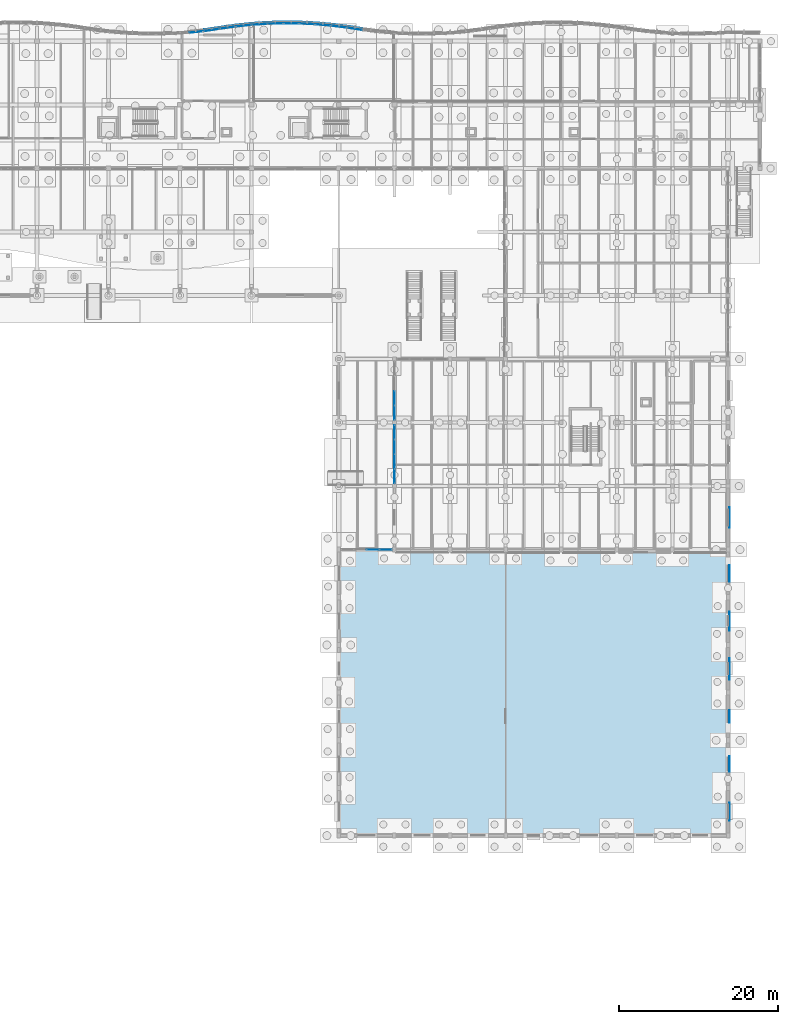
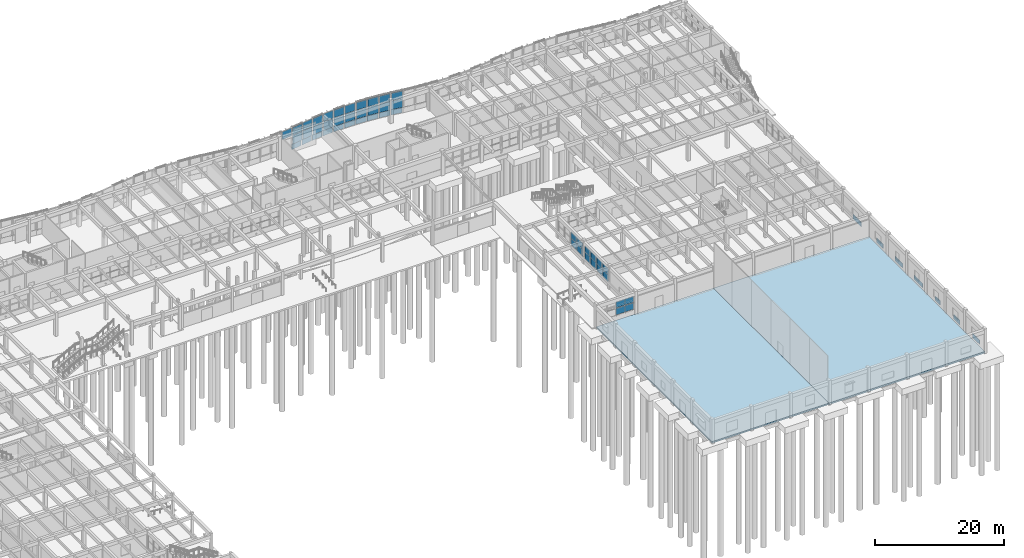
# One storey, part 57 of 99: 54 plates, 2 slabs, 14 elements without a shape of their own.
"""IFC4 building model written with IfcOpenShell, lengths in metres."""

from ifc_helpers import new_model, si_unit, direction, frame, origin, origin_2d, place, context, subcontext, project, spatial, polyline, rectangle, outline, extrude, material, layer, layer_set, type_object, element, aggregate, save


model = new_model("IFC4")

# Units and contexts
model_context = context("Model", 3, precision=1e-05, world=origin(), true_north=direction((0.0, 1.0)))
body_context = subcontext(model_context, "Body", "Model", "MODEL_VIEW")
ifc_project = project(units=[si_unit("LENGTHUNIT", "METRE"), si_unit("AREAUNIT", "SQUARE_METRE"), si_unit("VOLUMEUNIT", "CUBIC_METRE"), si_unit("PLANEANGLEUNIT", "RADIAN"), si_unit("MASSUNIT", "GRAM", prefix="KILO")], contexts=[model_context])

# Site, building, storey
site_placement = place(None, origin())
site = spatial("IfcSite", under=ifc_project, at=site_placement, CompositionType="ELEMENT")
building_placement = place(site_placement, origin())
building = spatial("IfcBuilding", under=site, at=building_placement, Name="Tonlespit Floodbar School", CompositionType="ELEMENT")
storey_placement = place(building_placement, origin())
storey = spatial("IfcBuildingStorey", under=building, at=storey_placement, Name="L00", CompositionType="ELEMENT", Elevation=0.0)

# Curtain wall, plates
ifc_material_1 = material(Name="Anodised Aluminium", Category="aluminium")
ifc_layer_1 = layer(ifc_material_1, 0.159912109375)
ifc_layer_set_1 = layer_set([ifc_layer_1], Name="Anodised Aluminium")
curtain_wall_type_1 = type_object("IfcCurtainWallType", Name="CurtainWall_1950x3300", PredefinedType="NOTDEFINED", material=ifc_layer_set_1)
curtain_wall_1_placement = place(storey_placement, origin())
curtain_wall_1 = element("IfcCurtainWall", 1, at=curtain_wall_1_placement, inside=storey, type_object=curtain_wall_type_1, Name="L00 unitised curtain wall 0033", PredefinedType="NOTDEFINED")
ifc_material_2 = material(Name="Laminated Low-E Glass", Category="glass")
ifc_layer_2 = layer(ifc_material_2, 0.028076171875)
ifc_layer_set_2 = layer_set([ifc_layer_2], Name="Laminated Low-E Glass")
plate_type_1 = type_object("IfcPlateType", Name="CW_Panel_Glaz_28", PredefinedType="CURTAIN_PANEL", material=ifc_layer_set_2)
plate_1_placement = place(storey_placement, frame((113.0, 121.69580078125, 1.014892578125), z_axis=(0.0, 0.0, 1.0), x_axis=(0.989541561858, 0.144248041079, 0.0)))
plate_1 = element("IfcPlate", 2, at=plate_1_placement, type_object=plate_type_1, Name="CW-01 panel 1.1", PredefinedType="CURTAIN_PANEL", context=body_context, shape_type="SweptSolid", body=[
    extrude(rectangle(XDim=1.81103515625, YDim=0.028076171875, at=origin_2d()), origin(), (0.0, 0.0, 1.0), 1.61328125),
])
plate_2_placement = place(storey_placement, frame((113.0, 121.69580078125, 2.693359375), z_axis=(0.0, 0.0, 1.0), x_axis=(0.989541561858, 0.144248041079, 0.0)))
plate_2 = element("IfcPlate", 3, at=plate_2_placement, type_object=plate_type_1, Name="CW-01 panel 1.2", PredefinedType="CURTAIN_PANEL", context=body_context, shape_type="SweptSolid", body=[
    extrude(rectangle(XDim=1.81103515625, YDim=0.028076171875, at=origin_2d()), origin(), (0.0, 0.0, 1.0), 1.481689453125),
])
aggregate(curtain_wall_1, [plate_1, plate_2])

ifc_layer_3 = layer(ifc_material_1, 0.159912109375)
ifc_layer_set_3 = layer_set([ifc_layer_3], Name="Anodised Aluminium")
curtain_wall_type_2 = type_object("IfcCurtainWallType", Name="CurtainWall_7400x2600", PredefinedType="NOTDEFINED", material=ifc_layer_set_3)
curtain_wall_2_placement = place(storey_placement, origin())
curtain_wall_2 = element("IfcCurtainWall", 4, at=curtain_wall_2_placement, inside=storey, type_object=curtain_wall_type_2, Name="L00 unitised curtain wall 0333", PredefinedType="NOTDEFINED")
plate_3_placement = place(storey_placement, frame((134.0, 73.233642578125, 1.01513671875), z_axis=(0.0, 0.0, 1.0), x_axis=(0.0, 1.0, 0.0)))
plate_3 = element("IfcPlate", 5, at=plate_3_placement, type_object=plate_type_1, Name="CW-52 panel 1.1", PredefinedType="CURTAIN_PANEL", context=body_context, shape_type="SweptSolid", body=[
    extrude(rectangle(XDim=1.757568359375, YDim=0.028076171875, at=origin_2d()), origin(), (0.0, 0.0, 1.0), 1.26220703125),
])
plate_4_placement = place(storey_placement, frame((134.0, 73.233642578125, 2.34228515625), z_axis=(0.0, 0.0, 1.0), x_axis=(0.0, 1.0, 0.0)))
plate_4 = element("IfcPlate", 6, at=plate_4_placement, type_object=plate_type_1, Name="CW-52 panel 1.2", PredefinedType="CURTAIN_PANEL", context=body_context, shape_type="SweptSolid", body=[
    extrude(rectangle(XDim=1.757568359375, YDim=0.028076171875, at=origin_2d()), origin(), (0.0, 0.0, 1.0), 1.15771484375),
])
plate_5_placement = place(storey_placement, frame((134.0, 75.072509765625, 1.01513671875), z_axis=(0.0, 0.0, 1.0), x_axis=(0.0, 1.0, 0.0)))
plate_5 = element("IfcPlate", 7, at=plate_5_placement, type_object=plate_type_1, Name="CW-52 panel 2.1", PredefinedType="CURTAIN_PANEL", context=body_context, shape_type="SweptSolid", body=[
    extrude(rectangle(XDim=1.7900390625, YDim=0.028076171875, at=origin_2d()), origin(), (0.0, 0.0, 1.0), 1.26220703125),
])
plate_6_placement = place(storey_placement, frame((134.0, 75.072509765625, 2.34228515625), z_axis=(0.0, 0.0, 1.0), x_axis=(0.0, 1.0, 0.0)))
plate_6 = element("IfcPlate", 8, at=plate_6_placement, type_object=plate_type_1, Name="CW-52 panel 2.2", PredefinedType="CURTAIN_PANEL", context=body_context, shape_type="SweptSolid", body=[
    extrude(rectangle(XDim=1.7900390625, YDim=0.028076171875, at=origin_2d()), origin(), (0.0, 0.0, 1.0), 1.15771484375),
])
aggregate(curtain_wall_2, [plate_3, plate_4, plate_5, plate_6])

ifc_layer_4 = layer(ifc_material_1, 0.159912109375)
ifc_layer_set_4 = layer_set([ifc_layer_4], Name="Anodised Aluminium")
curtain_wall_type_3 = type_object("IfcCurtainWallType", Name="CurtainWall_1900x3300", PredefinedType="NOTDEFINED", material=ifc_layer_set_4)
curtain_wall_3_placement = place(storey_placement, origin())
curtain_wall_3 = element("IfcCurtainWall", 9, at=curtain_wall_3_placement, inside=storey, type_object=curtain_wall_type_3, Name="L00 unitised curtain wall 0341", PredefinedType="NOTDEFINED")
plate_7_placement = place(storey_placement, frame((121.0, 122.2373046875, 1.014892578125), z_axis=(0.0, 0.0, 1.0), x_axis=(0.999954083024, -0.009582893292, 0.0)))
plate_7 = element("IfcPlate", 10, at=plate_7_placement, type_object=plate_type_1, Name="CW-02 panel 1.1", PredefinedType="CURTAIN_PANEL", context=body_context, shape_type="SweptSolid", body=[
    extrude(rectangle(XDim=1.7900390625, YDim=0.028076171875, at=origin_2d()), origin(), (0.0, 0.0, 1.0), 1.61328125),
])
plate_8_placement = place(storey_placement, frame((121.0, 122.2373046875, 2.693359375), z_axis=(0.0, 0.0, 1.0), x_axis=(0.999954083024, -0.009582893292, 0.0)))
plate_8 = element("IfcPlate", 11, at=plate_8_placement, type_object=plate_type_1, Name="CW-02 panel 1.2", PredefinedType="CURTAIN_PANEL", context=body_context, shape_type="SweptSolid", body=[
    extrude(rectangle(XDim=1.7900390625, YDim=0.028076171875, at=origin_2d()), origin(), (0.0, 0.0, 1.0), 1.481689453125),
])
aggregate(curtain_wall_3, [plate_7, plate_8])

curtain_wall_4_placement = place(storey_placement, origin())
curtain_wall_4 = element("IfcCurtainWall", 12, at=curtain_wall_4_placement, inside=storey, type_object=curtain_wall_type_1, Name="L00 unitised curtain wall 0345", PredefinedType="NOTDEFINED")
plate_9_placement = place(storey_placement, frame((129.0, 121.550048828125, 1.014892578125), z_axis=(0.0, 0.0, 1.0), x_axis=(0.988102576465, -0.153796288585, 0.0)))
plate_9 = element("IfcPlate", 13, at=plate_9_placement, type_object=plate_type_1, Name="CW-01 panel 1.1", PredefinedType="CURTAIN_PANEL", context=body_context, shape_type="SweptSolid", body=[
    extrude(rectangle(XDim=1.814208984375, YDim=0.028076171875, at=origin_2d()), origin(), (0.0, 0.0, 1.0), 1.61328125),
])
plate_10_placement = place(storey_placement, frame((129.0, 121.550048828125, 2.693359375), z_axis=(0.0, 0.0, 1.0), x_axis=(0.988102576465, -0.153796288585, 0.0)))
plate_10 = element("IfcPlate", 14, at=plate_10_placement, type_object=plate_type_1, Name="CW-01 panel 1.2", PredefinedType="CURTAIN_PANEL", context=body_context, shape_type="SweptSolid", body=[
    extrude(rectangle(XDim=1.814208984375, YDim=0.028076171875, at=origin_2d()), origin(), (0.0, 0.0, 1.0), 1.481689453125),
])
aggregate(curtain_wall_4, [plate_9, plate_10])

curtain_wall_5_placement = place(storey_placement, origin())
curtain_wall_5 = element("IfcCurtainWall", 15, at=curtain_wall_5_placement, inside=storey, type_object=curtain_wall_type_1, Name="L00 unitised curtain wall 0034", PredefinedType="NOTDEFINED")
ifc_layer_5 = layer(ifc_material_2, 0.031982421875)
ifc_layer_set_5 = layer_set([ifc_layer_5], Name="Laminated Low-E Glass")
plate_type_2 = type_object("IfcPlateType", Name="CW_Panel_Glaz_32", PredefinedType="CURTAIN_PANEL", material=ifc_layer_set_5)
plate_11_placement = place(storey_placement, frame((115.0, 121.947998046875, 1.014892578125), z_axis=(0.0, 0.0, 1.0), x_axis=(0.994388797288, 0.105787143968, 0.0)))
plate_11 = element("IfcPlate", 16, at=plate_11_placement, type_object=plate_type_2, Name="CW-01 panel 1.1", PredefinedType="CURTAIN_PANEL", context=body_context, shape_type="SweptSolid", body=[
    extrude(rectangle(XDim=1.80126953125, YDim=0.031982421875, at=origin_2d()), origin(), (0.0, 0.0, 1.0), 1.61328125),
])
plate_12_placement = place(storey_placement, frame((115.0, 121.947998046875, 2.693359375), z_axis=(0.0, 0.0, 1.0), x_axis=(0.994388797288, 0.105787143968, 0.0)))
plate_12 = element("IfcPlate", 17, at=plate_12_placement, type_object=plate_type_2, Name="CW-01 panel 1.2", PredefinedType="CURTAIN_PANEL", context=body_context, shape_type="SweptSolid", body=[
    extrude(rectangle(XDim=1.80126953125, YDim=0.031982421875, at=origin_2d()), origin(), (0.0, 0.0, 1.0), 1.481689453125),
])
aggregate(curtain_wall_5, [plate_11, plate_12])

ifc_layer_6 = layer(ifc_material_1, 0.159912109375)
ifc_layer_set_6 = layer_set([ifc_layer_6], Name="Anodised Aluminium")
curtain_wall_type_4 = type_object("IfcCurtainWallType", Name="CurtainWall_6450x2650", PredefinedType="NOTDEFINED", material=ifc_layer_set_6)
curtain_wall_6_placement = place(storey_placement, origin())
curtain_wall_6 = element("IfcCurtainWall", 18, at=curtain_wall_6_placement, inside=storey, type_object=curtain_wall_type_4, Name="L00 unitised curtain wall 0330", PredefinedType="NOTDEFINED")
plate_13_placement = place(storey_placement, frame((131.308837890625, 56.0, 1.014892578125), z_axis=(0.0, 0.0, 1.0), x_axis=(1.0, 0.0, 0.0)))
plate_13 = element("IfcPlate", 19, at=plate_13_placement, type_object=plate_type_2, Name="CW-51 panel 3.1", PredefinedType="CURTAIN_PANEL", context=body_context, shape_type="SweptSolid", body=[
    extrude(rectangle(XDim=1.552490234375, YDim=0.031982421875, at=origin_2d()), origin(), (0.0, 0.0, 1.0), 1.275390625),
])
plate_14_placement = place(storey_placement, frame((131.308837890625, 56.0, 2.35546875), z_axis=(0.0, 0.0, 1.0), x_axis=(1.0, 0.0, 0.0)))
plate_14 = element("IfcPlate", 20, at=plate_14_placement, type_object=plate_type_2, Name="CW-51 panel 3.2", PredefinedType="CURTAIN_PANEL", context=body_context, shape_type="SweptSolid", body=[
    extrude(rectangle(XDim=1.552490234375, YDim=0.031982421875, at=origin_2d()), origin(), (0.0, 0.0, 1.0), 1.169677734375),
])
plate_15_placement = place(storey_placement, frame((132.909912109375, 56.0, 1.014892578125), z_axis=(0.0, 0.0, 1.0), x_axis=(1.0, 0.0, 0.0)))
plate_15 = element("IfcPlate", 21, at=plate_15_placement, type_object=plate_type_2, Name="CW-51 panel 4.1", PredefinedType="CURTAIN_PANEL", context=body_context, shape_type="SweptSolid", body=[
    extrude(rectangle(XDim=1.52001953125, YDim=0.031982421875, at=origin_2d()), origin(), (0.0, 0.0, 1.0), 1.275390625),
])
plate_16_placement = place(storey_placement, frame((132.909912109375, 56.0, 2.35546875), z_axis=(0.0, 0.0, 1.0), x_axis=(1.0, 0.0, 0.0)))
plate_16 = element("IfcPlate", 22, at=plate_16_placement, type_object=plate_type_2, Name="CW-51 panel 4.2", PredefinedType="CURTAIN_PANEL", context=body_context, shape_type="SweptSolid", body=[
    extrude(rectangle(XDim=1.52001953125, YDim=0.031982421875, at=origin_2d()), origin(), (0.0, 0.0, 1.0), 1.169677734375),
])
aggregate(curtain_wall_6, [plate_13, plate_14, plate_15, plate_16])

curtain_wall_7_placement = place(storey_placement, origin())
curtain_wall_7 = element("IfcCurtainWall", 23, at=curtain_wall_7_placement, inside=storey, type_object=curtain_wall_type_3, Name="L00 unitised curtain wall 0342", PredefinedType="NOTDEFINED")
plate_17_placement = place(storey_placement, frame((123.0, 122.1796875, 1.014892578125), z_axis=(0.0, 0.0, 1.0), x_axis=(0.998841500616, -0.048121270216, 0.0)))
plate_17 = element("IfcPlate", 24, at=plate_17_placement, type_object=plate_type_2, Name="CW-02 panel 1.1", PredefinedType="CURTAIN_PANEL", context=body_context, shape_type="SweptSolid", body=[
    extrude(rectangle(XDim=1.792236328125, YDim=0.031982421875, at=origin_2d()), origin(), (0.0, 0.0, 1.0), 1.61328125),
])
plate_18_placement = place(storey_placement, frame((123.0, 122.1796875, 2.693359375), z_axis=(0.0, 0.0, 1.0), x_axis=(0.998841500616, -0.048121270216, 0.0)))
plate_18 = element("IfcPlate", 25, at=plate_18_placement, type_object=plate_type_2, Name="CW-02 panel 1.2", PredefinedType="CURTAIN_PANEL", context=body_context, shape_type="SweptSolid", body=[
    extrude(rectangle(XDim=1.792236328125, YDim=0.031982421875, at=origin_2d()), origin(), (0.0, 0.0, 1.0), 1.481689453125),
])
aggregate(curtain_wall_7, [plate_17, plate_18])

# Curtain wall, plate
curtain_wall_8_placement = place(storey_placement, origin())
curtain_wall_8 = element("IfcCurtainWall", 26, at=curtain_wall_8_placement, inside=storey, type_object=curtain_wall_type_1, Name="L00 unitised curtain wall 0031", PredefinedType="NOTDEFINED")
ifc_layer_7 = layer(ifc_material_2, 0.035888671875)
ifc_layer_set_7 = layer_set([ifc_layer_7], Name="Laminated Low-E Glass")
plate_type_3 = type_object("IfcPlateType", Name="CW_Panel_Glaz_36", PredefinedType="CURTAIN_PANEL", material=ifc_layer_set_7)
plate_19_placement = place(storey_placement, frame((109.0, 121.152099609375, 2.693359375), z_axis=(0.0, 0.0, 1.0), x_axis=(0.994388797288, 0.105787143968, 0.0)))
plate_19 = element("IfcPlate", 27, at=plate_19_placement, type_object=plate_type_3, Name="CW-01 panel 1.2", PredefinedType="CURTAIN_PANEL", context=body_context, shape_type="SweptSolid", body=[
    extrude(rectangle(XDim=1.80126953125, YDim=0.035888671875, at=origin_2d()), origin(), (0.0, 0.0, 1.0), 1.481689453125),
])
aggregate(curtain_wall_8, [plate_19])

# Curtain wall, plates
curtain_wall_9_placement = place(storey_placement, origin())
curtain_wall_9 = element("IfcCurtainWall", 28, at=curtain_wall_9_placement, inside=storey, type_object=curtain_wall_type_3, Name="L00 unitised curtain wall 0339", PredefinedType="NOTDEFINED")
plate_20_placement = place(storey_placement, frame((117.0, 122.121826171875, 1.014892578125), z_axis=(0.0, 0.0, 1.0), x_axis=(0.99773010165, 0.067339767311, 0.0)))
plate_20 = element("IfcPlate", 29, at=plate_20_placement, type_object=plate_type_3, Name="CW-02 panel 1.1", PredefinedType="CURTAIN_PANEL", context=body_context, shape_type="SweptSolid", body=[
    extrude(rectangle(XDim=1.794677734375, YDim=0.035888671875, at=origin_2d()), origin(), (0.0, 0.0, 1.0), 1.61328125),
])
plate_21_placement = place(storey_placement, frame((117.0, 122.121826171875, 2.693359375), z_axis=(0.0, 0.0, 1.0), x_axis=(0.99773010165, 0.067339767311, 0.0)))
plate_21 = element("IfcPlate", 30, at=plate_21_placement, type_object=plate_type_3, Name="CW-02 panel 1.2", PredefinedType="CURTAIN_PANEL", context=body_context, shape_type="SweptSolid", body=[
    extrude(rectangle(XDim=1.794677734375, YDim=0.035888671875, at=origin_2d()), origin(), (0.0, 0.0, 1.0), 1.481689453125),
])
aggregate(curtain_wall_9, [plate_20, plate_21])

curtain_wall_10_placement = place(storey_placement, origin())
curtain_wall_10 = element("IfcCurtainWall", 31, at=curtain_wall_10_placement, inside=storey, type_object=curtain_wall_type_1, Name="L00 unitised curtain wall 0343", PredefinedType="NOTDEFINED")
plate_22_placement = place(storey_placement, frame((125.0, 122.044677734375, 1.014892578125), z_axis=(0.0, 0.0, 1.0), x_axis=(0.996249148412, -0.086531117454, 0.0)))
plate_22 = element("IfcPlate", 32, at=plate_22_placement, type_object=plate_type_3, Name="CW-01 panel 1.1", PredefinedType="CURTAIN_PANEL", context=body_context, shape_type="SweptSolid", body=[
    extrude(rectangle(XDim=1.797607421875, YDim=0.035888671875, at=origin_2d()), origin(), (0.0, 0.0, 1.0), 1.61328125),
])
plate_23_placement = place(storey_placement, frame((125.0, 122.044677734375, 2.693359375), z_axis=(0.0, 0.0, 1.0), x_axis=(0.996249148412, -0.086531117454, 0.0)))
plate_23 = element("IfcPlate", 33, at=plate_23_placement, type_object=plate_type_3, Name="CW-01 panel 1.2", PredefinedType="CURTAIN_PANEL", context=body_context, shape_type="SweptSolid", body=[
    extrude(rectangle(XDim=1.797607421875, YDim=0.035888671875, at=origin_2d()), origin(), (0.0, 0.0, 1.0), 1.481689453125),
])
aggregate(curtain_wall_10, [plate_22, plate_23])

curtain_wall_11_placement = place(storey_placement, origin())
curtain_wall_11 = element("IfcCurtainWall", 34, at=curtain_wall_11_placement, inside=storey, type_object=curtain_wall_type_1, Name="L00 unitised curtain wall 0032", PredefinedType="NOTDEFINED")
ifc_layer_8 = layer(ifc_material_2, 0.0419921875)
ifc_layer_set_8 = layer_set([ifc_layer_8], Name="Laminated Low-E Glass")
plate_type_4 = type_object("IfcPlateType", Name="CW_Panel_Glaz_42", PredefinedType="CURTAIN_PANEL", material=ifc_layer_set_8)
plate_24_placement = place(storey_placement, frame((111.0, 121.404296875, 1.014892578125), z_axis=(0.0, 0.0, 1.0), x_axis=(0.989541561858, 0.144248041079, 0.0)))
plate_24 = element("IfcPlate", 35, at=plate_24_placement, type_object=plate_type_4, Name="CW-01 panel 1.1", PredefinedType="CURTAIN_PANEL", context=body_context, shape_type="SweptSolid", body=[
    extrude(rectangle(XDim=1.81103515625, YDim=0.0419921875, at=origin_2d()), origin(), (0.0, 0.0, 1.0), 1.61328125),
])
plate_25_placement = place(storey_placement, frame((111.0, 121.404296875, 2.693359375), z_axis=(0.0, 0.0, 1.0), x_axis=(0.989541561858, 0.144248041079, 0.0)))
plate_25 = element("IfcPlate", 36, at=plate_25_placement, type_object=plate_type_4, Name="CW-01 panel 1.2", PredefinedType="CURTAIN_PANEL", context=body_context, shape_type="SweptSolid", body=[
    extrude(rectangle(XDim=1.81103515625, YDim=0.0419921875, at=origin_2d()), origin(), (0.0, 0.0, 1.0), 1.481689453125),
])
aggregate(curtain_wall_11, [plate_24, plate_25])

curtain_wall_12_placement = place(storey_placement, origin())
curtain_wall_12 = element("IfcCurtainWall", 37, at=curtain_wall_12_placement, inside=storey, type_object=curtain_wall_type_2, Name="L00 unitised curtain wall 0332", PredefinedType="NOTDEFINED")
plate_26_placement = place(storey_placement, frame((134.0, 65.233642578125, 1.01513671875), z_axis=(0.0, 0.0, 1.0), x_axis=(0.0, 1.0, 0.0)))
plate_26 = element("IfcPlate", 38, at=plate_26_placement, type_object=plate_type_4, Name="CW-52 panel 1.1", PredefinedType="CURTAIN_PANEL", context=body_context, shape_type="SweptSolid", body=[
    extrude(rectangle(XDim=1.757568359375, YDim=0.0419921875, at=origin_2d()), origin(), (0.0, 0.0, 1.0), 1.26220703125),
])
plate_27_placement = place(storey_placement, frame((134.0, 65.233642578125, 2.34228515625), z_axis=(0.0, 0.0, 1.0), x_axis=(0.0, 1.0, 0.0)))
plate_27 = element("IfcPlate", 39, at=plate_27_placement, type_object=plate_type_4, Name="CW-52 panel 1.2", PredefinedType="CURTAIN_PANEL", context=body_context, shape_type="SweptSolid", body=[
    extrude(rectangle(XDim=1.757568359375, YDim=0.0419921875, at=origin_2d()), origin(), (0.0, 0.0, 1.0), 1.15771484375),
])
plate_28_placement = place(storey_placement, frame((134.0, 67.072509765625, 1.01513671875), z_axis=(0.0, 0.0, 1.0), x_axis=(0.0, 1.0, 0.0)))
plate_28 = element("IfcPlate", 40, at=plate_28_placement, type_object=plate_type_4, Name="CW-52 panel 2.1", PredefinedType="CURTAIN_PANEL", context=body_context, shape_type="SweptSolid", body=[
    extrude(rectangle(XDim=1.7900390625, YDim=0.0419921875, at=origin_2d()), origin(), (0.0, 0.0, 1.0), 1.26220703125),
])
plate_29_placement = place(storey_placement, frame((134.0, 67.072509765625, 2.34228515625), z_axis=(0.0, 0.0, 1.0), x_axis=(0.0, 1.0, 0.0)))
plate_29 = element("IfcPlate", 41, at=plate_29_placement, type_object=plate_type_4, Name="CW-52 panel 2.2", PredefinedType="CURTAIN_PANEL", context=body_context, shape_type="SweptSolid", body=[
    extrude(rectangle(XDim=1.7900390625, YDim=0.0419921875, at=origin_2d()), origin(), (0.0, 0.0, 1.0), 1.15771484375),
])
plate_30_placement = place(storey_placement, frame((134.0, 68.927490234375, 1.01513671875), z_axis=(0.0, 0.0, 1.0), x_axis=(0.0, 1.0, 0.0)))
plate_30 = element("IfcPlate", 42, at=plate_30_placement, type_object=plate_type_4, Name="CW-52 panel 3.1", PredefinedType="CURTAIN_PANEL", context=body_context, shape_type="SweptSolid", body=[
    extrude(rectangle(XDim=1.7900390625, YDim=0.0419921875, at=origin_2d()), origin(), (0.0, 0.0, 1.0), 1.26220703125),
])
plate_31_placement = place(storey_placement, frame((134.0, 68.927490234375, 2.34228515625), z_axis=(0.0, 0.0, 1.0), x_axis=(0.0, 1.0, 0.0)))
plate_31 = element("IfcPlate", 43, at=plate_31_placement, type_object=plate_type_4, Name="CW-52 panel 3.2", PredefinedType="CURTAIN_PANEL", context=body_context, shape_type="SweptSolid", body=[
    extrude(rectangle(XDim=1.7900390625, YDim=0.0419921875, at=origin_2d()), origin(), (0.0, 0.0, 1.0), 1.15771484375),
])
plate_32_placement = place(storey_placement, frame((134.0, 70.766357421875, 1.01513671875), z_axis=(0.0, 0.0, 1.0), x_axis=(0.0, 1.0, 0.0)))
plate_32 = element("IfcPlate", 44, at=plate_32_placement, type_object=plate_type_4, Name="CW-52 panel 4.1", PredefinedType="CURTAIN_PANEL", context=body_context, shape_type="SweptSolid", body=[
    extrude(rectangle(XDim=1.757568359375, YDim=0.0419921875, at=origin_2d()), origin(), (0.0, 0.0, 1.0), 1.26220703125),
])
plate_33_placement = place(storey_placement, frame((134.0, 70.766357421875, 2.34228515625), z_axis=(0.0, 0.0, 1.0), x_axis=(0.0, 1.0, 0.0)))
plate_33 = element("IfcPlate", 45, at=plate_33_placement, type_object=plate_type_4, Name="CW-52 panel 4.2", PredefinedType="CURTAIN_PANEL", context=body_context, shape_type="SweptSolid", body=[
    extrude(rectangle(XDim=1.757568359375, YDim=0.0419921875, at=origin_2d()), origin(), (0.0, 0.0, 1.0), 1.15771484375),
])
aggregate(curtain_wall_12, [plate_26, plate_27, plate_28, plate_29, plate_30, plate_31, plate_32, plate_33])

curtain_wall_13_placement = place(storey_placement, origin())
curtain_wall_13 = element("IfcCurtainWall", 46, at=curtain_wall_13_placement, inside=storey, type_object=curtain_wall_type_3, Name="L00 unitised curtain wall 0340", PredefinedType="NOTDEFINED")
plate_34_placement = place(storey_placement, frame((119.0, 122.21826171875, 1.014892578125), z_axis=(0.0, 0.0, 1.0), x_axis=(0.999585477883, 0.028790144226, 0.0)))
plate_34 = element("IfcPlate", 47, at=plate_34_placement, type_object=plate_type_4, Name="CW-02 panel 1.1", PredefinedType="CURTAIN_PANEL", context=body_context, shape_type="SweptSolid", body=[
    extrude(rectangle(XDim=1.790771484375, YDim=0.0419921875, at=origin_2d()), origin(), (0.0, 0.0, 1.0), 1.61328125),
])
plate_35_placement = place(storey_placement, frame((119.0, 122.21826171875, 2.693359375), z_axis=(0.0, 0.0, 1.0), x_axis=(0.999585477883, 0.028790144226, 0.0)))
plate_35 = element("IfcPlate", 48, at=plate_35_placement, type_object=plate_type_4, Name="CW-02 panel 1.2", PredefinedType="CURTAIN_PANEL", context=body_context, shape_type="SweptSolid", body=[
    extrude(rectangle(XDim=1.790771484375, YDim=0.0419921875, at=origin_2d()), origin(), (0.0, 0.0, 1.0), 1.481689453125),
])
aggregate(curtain_wall_13, [plate_34, plate_35])

curtain_wall_14_placement = place(storey_placement, origin())
curtain_wall_14 = element("IfcCurtainWall", 49, at=curtain_wall_14_placement, inside=storey, type_object=curtain_wall_type_1, Name="L00 unitised curtain wall 0344", PredefinedType="NOTDEFINED")
plate_36_placement = place(storey_placement, frame((127.0, 121.831787109375, 1.014892578125), z_axis=(0.0, 0.0, 1.0), x_axis=(0.992155002499, -0.125013803299, 0.0)))
plate_36 = element("IfcPlate", 50, at=plate_36_placement, type_object=plate_type_4, Name="CW-01 panel 1.1", PredefinedType="CURTAIN_PANEL", context=body_context, shape_type="SweptSolid", body=[
    extrude(rectangle(XDim=1.805908203125, YDim=0.0419921875, at=origin_2d()), origin(), (0.0, 0.0, 1.0), 1.61328125),
])
plate_37_placement = place(storey_placement, frame((127.0, 121.831787109375, 2.693359375), z_axis=(0.0, 0.0, 1.0), x_axis=(0.992155002499, -0.125013803299, 0.0)))
plate_37 = element("IfcPlate", 51, at=plate_37_placement, type_object=plate_type_4, Name="CW-01 panel 1.2", PredefinedType="CURTAIN_PANEL", context=body_context, shape_type="SweptSolid", body=[
    extrude(rectangle(XDim=1.805908203125, YDim=0.0419921875, at=origin_2d()), origin(), (0.0, 0.0, 1.0), 1.481689453125),
])
aggregate(curtain_wall_14, [plate_36, plate_37])

# Plates
ifc_material_3 = material(Name="Terracotta Anodised Aluminium", Category="masonry")
ifc_layer_9 = layer(ifc_material_3, 0.044921875)
ifc_layer_set_9 = layer_set([ifc_layer_9], Name="Terracotta Anodised Aluminium")
plate_type_5 = type_object("IfcPlateType", Name="FacadeCassette_02", PredefinedType="SHEET", material=ifc_layer_set_9)
plate_38_placement = place(storey_placement, frame((176.16552734375, 53.0, 0.094970703125), z_axis=(0.0, 0.0, 1.0), x_axis=(0.0, -1.0, 0.0)))
element("IfcPlate", 52, at=plate_38_placement, inside=storey, type_object=plate_type_5, Name="L00 folded rainscreen cassette 018", PredefinedType="SHEET", context=body_context, shape_type="SweptSolid", body=[
    extrude(rectangle(XDim=2.10009765625, YDim=0.044921875, at=origin_2d()), origin(), (0.0, 0.0, 1.0), 0.85009765625),
])
ifc_layer_10 = layer(ifc_material_1, 0.050048828125)
ifc_layer_set_10 = layer_set([ifc_layer_10], Name="Anodised Aluminium")
plate_type_6 = type_object("IfcPlateType", Name="FacadeCassette_03", PredefinedType="SHEET", material=ifc_layer_set_10)
plate_39_placement = place(storey_placement, frame((176.16796875, 47.0, 0.094970703125), z_axis=(0.0, 0.0, 1.0), x_axis=(0.0, -1.0, 0.0)))
element("IfcPlate", 53, at=plate_39_placement, inside=storey, type_object=plate_type_6, Name="L00 folded rainscreen cassette 019", PredefinedType="SHEET", context=body_context, shape_type="SweptSolid", body=[
    extrude(rectangle(XDim=2.39990234375, YDim=0.050048828125, at=origin_2d()), origin(), (0.0, 0.0, 1.0), 0.85009765625),
])
ifc_layer_11 = layer(ifc_material_3, 0.050048828125)
ifc_layer_set_11 = layer_set([ifc_layer_11], Name="Terracotta Anodised Aluminium")
plate_type_7 = type_object("IfcPlateType", Name="FacadeCassette_04", PredefinedType="SHEET", material=ifc_layer_set_11)
plate_40_placement = place(storey_placement, frame((176.16796875, 41.0, 0.094970703125), z_axis=(0.0, 0.0, 1.0), x_axis=(0.0, -1.0, 0.0)))
element("IfcPlate", 54, at=plate_40_placement, inside=storey, type_object=plate_type_7, Name="L00 folded rainscreen cassette 020", PredefinedType="SHEET", context=body_context, shape_type="SweptSolid", body=[
    extrude(rectangle(XDim=2.699951171875, YDim=0.050048828125, at=origin_2d()), origin(), (0.0, 0.0, 1.0), 0.85009765625),
])
ifc_layer_12 = layer(ifc_material_1, 0.0400390625)
ifc_layer_set_12 = layer_set([ifc_layer_12], Name="Anodised Aluminium")
plate_type_8 = type_object("IfcPlateType", Name="FacadeCassette_05", PredefinedType="SHEET", material=ifc_layer_set_12)
plate_41_placement = place(storey_placement, frame((176.1630859375, 35.0, 0.094970703125), z_axis=(0.0, 0.0, 1.0), x_axis=(0.0, -1.0, 0.0)))
element("IfcPlate", 55, at=plate_41_placement, inside=storey, type_object=plate_type_8, Name="L00 folded rainscreen cassette 021", PredefinedType="SHEET", context=body_context, shape_type="SweptSolid", body=[
    extrude(rectangle(XDim=1.60009765625, YDim=0.0400390625, at=origin_2d()), origin(), (0.0, 0.0, 1.0), 0.85009765625),
])
ifc_layer_13 = layer(ifc_material_3, 0.0400390625)
ifc_layer_set_13 = layer_set([ifc_layer_13], Name="Terracotta Anodised Aluminium")
plate_type_9 = type_object("IfcPlateType", Name="FacadeCassette_06", PredefinedType="SHEET", material=ifc_layer_set_13)
plate_42_placement = place(storey_placement, frame((176.1630859375, 29.0, 0.094970703125), z_axis=(0.0, 0.0, 1.0), x_axis=(0.0, -1.0, 0.0)))
element("IfcPlate", 56, at=plate_42_placement, inside=storey, type_object=plate_type_9, Name="L00 folded rainscreen cassette 022", PredefinedType="SHEET", context=body_context, shape_type="SweptSolid", body=[
    extrude(rectangle(XDim=1.949951171875, YDim=0.0400390625, at=origin_2d()), origin(), (0.0, 0.0, 1.0), 0.85009765625),
])
ifc_layer_14 = layer(ifc_material_1, 0.054931640625)
ifc_layer_set_14 = layer_set([ifc_layer_14], Name="Anodised Aluminium")
plate_type_10 = type_object("IfcPlateType", Name="FacadeCassette_07", PredefinedType="SHEET", material=ifc_layer_set_14)
plate_43_placement = place(storey_placement, frame((176.17041015625, 23.0, 0.094970703125), z_axis=(0.0, 0.0, 1.0), x_axis=(0.0, -1.0, 0.0)))
element("IfcPlate", 57, at=plate_43_placement, inside=storey, type_object=plate_type_10, Name="L00 folded rainscreen cassette 023", PredefinedType="SHEET", context=body_context, shape_type="SweptSolid", body=[
    extrude(rectangle(XDim=2.25, YDim=0.054931640625, at=origin_2d()), origin(), (0.0, 0.0, 1.0), 0.85009765625),
])
ifc_layer_15 = layer(ifc_material_3, 0.054931640625)
ifc_layer_set_15 = layer_set([ifc_layer_15], Name="Terracotta Anodised Aluminium")
plate_type_11 = type_object("IfcPlateType", Name="FacadeCassette_08", PredefinedType="SHEET", material=ifc_layer_set_15)
plate_44_placement = place(storey_placement, frame((176.1630859375, 60.03759765625, 0.094970703125), z_axis=(0.0, 0.0, 1.0), x_axis=(0.0, -1.0, 0.0)))
element("IfcPlate", 58, at=plate_44_placement, inside=storey, type_object=plate_type_11, Name="L00 folded rainscreen cassette 024", PredefinedType="SHEET", context=body_context, shape_type="SweptSolid", body=[
    extrude(rectangle(XDim=2.550048828125, YDim=0.054931640625, at=origin_2d()), origin(), (0.0, 0.0, 1.0), 0.85009765625),
])
ifc_material_4 = material(Name="White Architectural Aluminium", Category="aluminium")
ifc_layer_16 = layer(ifc_material_4, 0.06494140625)
ifc_layer_set_16 = layer_set([ifc_layer_16], Name="White Architectural Aluminium")
plate_type_12 = type_object("IfcPlateType", Name="FacadeRibbon_White_65", PredefinedType="SHEET", material=ifc_layer_set_16)
for number, where, z_axis, x_axis, name in (
    (59, (110.9736328125, 121.584228515625, -0.1201171875), (0.0, 0.0, 1.0), (0.989537627347, 0.144275029245, 0.0), "L00 flowing white street spandrel ribbon 0034"),
    (60, (112.9736328125, 121.8759765625, -0.1201171875), (0.0, 0.0, 1.0), (0.989537627347, 0.144275029245, 0.0), "L00 flowing white street spandrel ribbon 0035"),
):
    element("IfcPlate", number, at=place(storey_placement, frame(where, z_axis=z_axis, x_axis=x_axis)), inside=storey, type_object=plate_type_12, Name=name, PredefinedType="SHEET", context=body_context, shape_type="SweptSolid", body=[
        extrude(rectangle(XDim=1.861083984375, YDim=0.06494140625, at=origin_2d()), origin(), (0.0, 0.0, 1.0), 1.070068359375),
    ])
plate_45_placement = place(storey_placement, frame((114.980712890625, 122.12890625, -0.1201171875), z_axis=(0.0, 0.0, 1.0), x_axis=(0.99439234017, 0.105753835922, 0.0)))
element("IfcPlate", 61, at=plate_45_placement, inside=storey, type_object=plate_type_12, Name="L00 flowing white street spandrel ribbon 0036", PredefinedType="SHEET", context=body_context, shape_type="SweptSolid", body=[
    extrude(rectangle(XDim=1.851318359375, YDim=0.06494140625, at=origin_2d()), origin(), (0.0, 0.0, 1.0), 1.070068359375),
])
plate_46_placement = place(storey_placement, frame((116.98779296875, 122.303466796875, -0.1201171875), z_axis=(0.0, 0.0, 1.0), x_axis=(0.997729639049, 0.067346621018, 0.0)))
element("IfcPlate", 62, at=plate_46_placement, inside=storey, type_object=plate_type_12, Name="L00 flowing white street spandrel ribbon 0589", PredefinedType="SHEET", context=body_context, shape_type="SweptSolid", body=[
    extrude(rectangle(XDim=1.844482421875, YDim=0.06494140625, at=origin_2d()), origin(), (0.0, 0.0, 1.0), 1.070068359375),
])
plate_47_placement = place(storey_placement, frame((118.994873046875, 122.400146484375, -0.1201171875), z_axis=(0.0, 0.0, 1.0), x_axis=(0.999584110869, 0.02883756748, 0.0)))
element("IfcPlate", 63, at=plate_47_placement, inside=storey, type_object=plate_type_12, Name="L00 flowing white street spandrel ribbon 0590", PredefinedType="SHEET", context=body_context, shape_type="SweptSolid", body=[
    extrude(rectangle(XDim=1.8408203125, YDim=0.06494140625, at=origin_2d()), origin(), (0.0, 0.0, 1.0), 1.070068359375),
])
plate_48_placement = place(storey_placement, frame((121.001708984375, 122.41943359375, -0.1201171875), z_axis=(0.0, 0.0, 1.0), x_axis=(0.999953926969, -0.009599163462, 0.0)))
element("IfcPlate", 64, at=plate_48_placement, inside=storey, type_object=plate_type_12, Name="L00 flowing white street spandrel ribbon 0591", PredefinedType="SHEET", context=body_context, shape_type="SweptSolid", body=[
    extrude(rectangle(XDim=1.840087890625, YDim=0.06494140625, at=origin_2d()), origin(), (0.0, 0.0, 1.0), 1.070068359375),
])
plate_49_placement = place(storey_placement, frame((123.0087890625, 122.361328125, -0.1201171875), z_axis=(0.0, 0.0, 1.0), x_axis=(0.998842769234, -0.048094930587, 0.0)))
element("IfcPlate", 65, at=plate_49_placement, inside=storey, type_object=plate_type_12, Name="L00 flowing white street spandrel ribbon 0592", PredefinedType="SHEET", context=body_context, shape_type="SweptSolid", body=[
    extrude(rectangle(XDim=1.84228515625, YDim=0.06494140625, at=origin_2d()), origin(), (0.0, 0.0, 1.0), 1.070068359375),
])
plate_50_placement = place(storey_placement, frame((125.015869140625, 122.225830078125, -0.1201171875), z_axis=(0.0, 0.0, 1.0), x_axis=(0.996245486492, -0.086573267488, 0.0)))
element("IfcPlate", 66, at=plate_50_placement, inside=storey, type_object=plate_type_12, Name="L00 flowing white street spandrel ribbon 0593", PredefinedType="SHEET", context=body_context, shape_type="SweptSolid", body=[
    extrude(rectangle(XDim=1.847412109375, YDim=0.06494140625, at=origin_2d()), origin(), (0.0, 0.0, 1.0), 1.070068359375),
])
plate_51_placement = place(storey_placement, frame((127.022705078125, 122.01220703125, -0.1201171875), z_axis=(0.0, 0.0, 1.0), x_axis=(0.99215533612, -0.125011155539, 0.0)))
element("IfcPlate", 67, at=plate_51_placement, inside=storey, type_object=plate_type_12, Name="L00 flowing white street spandrel ribbon 0594", PredefinedType="SHEET", context=body_context, shape_type="SweptSolid", body=[
    extrude(rectangle(XDim=1.855712890625, YDim=0.06494140625, at=origin_2d()), origin(), (0.0, 0.0, 1.0), 1.070068359375),
])
plate_52_placement = place(storey_placement, frame((129.028076171875, 121.729736328125, -0.1201171875), z_axis=(0.0, 0.0, 1.0), x_axis=(0.988094768361, -0.153846445322, 0.0)))
element("IfcPlate", 68, at=plate_52_placement, inside=storey, type_object=plate_type_12, Name="L00 flowing white street spandrel ribbon 0595", PredefinedType="SHEET", context=body_context, shape_type="SweptSolid", body=[
    extrude(rectangle(XDim=1.864013671875, YDim=0.06494140625, at=origin_2d()), origin(), (0.0, 0.0, 1.0), 1.070068359375),
])

# Slabs
ifc_material_5 = material(Name="Concrete C40/50", Category="concrete")
ifc_layer_17 = layer(ifc_material_5, 0.344970703125)
ifc_layer_set_17 = layer_set([ifc_layer_17], Name="Concrete C40/50")
slab_type_1 = type_object("IfcSlabType", Name="Slab_Base_Hall_RC_345", PredefinedType="BASESLAB", material=ifc_layer_set_17)
slab_1_placement = place(storey_placement, frame((0.0, 0.0, -0.344970703125)))
element("IfcSlab", 69, at=slab_1_placement, inside=storey, type_object=slab_type_1, Name="L00 Sports hall ground slab", PredefinedType="BASESLAB", context=body_context, shape_type="SweptSolid", body=[
    extrude(outline(polyline([(148.0, 56.0), (176.0, 56.0), (176.0, 20.0), (148.0, 20.0), (148.0, 56.0)])), origin(), (0.0, 0.0, 1.0), 0.344970703125),
])
ifc_layer_18 = layer(ifc_material_5, 0.300048828125)
ifc_layer_set_18 = layer_set([ifc_layer_18], Name="Concrete C40/50")
slab_type_2 = type_object("IfcSlabType", Name="Slab_Base_RC_200", PredefinedType="BASESLAB", material=ifc_layer_set_18)
slab_2_placement = place(storey_placement, frame((0.0, 0.0, -0.300048828125)))
element("IfcSlab", 70, at=slab_2_placement, inside=storey, type_object=slab_type_2, Name="L00 Assembly hall ground slab", PredefinedType="BASESLAB", context=body_context, shape_type="SweptSolid", body=[
    extrude(outline(polyline([(127.0, 56.0), (148.0, 56.0), (148.0, 20.0), (127.0, 20.0), (127.0, 56.0)])), origin(), (0.0, 0.0, 1.0), 0.300048828125),
])

save(model, "model.ifc")
